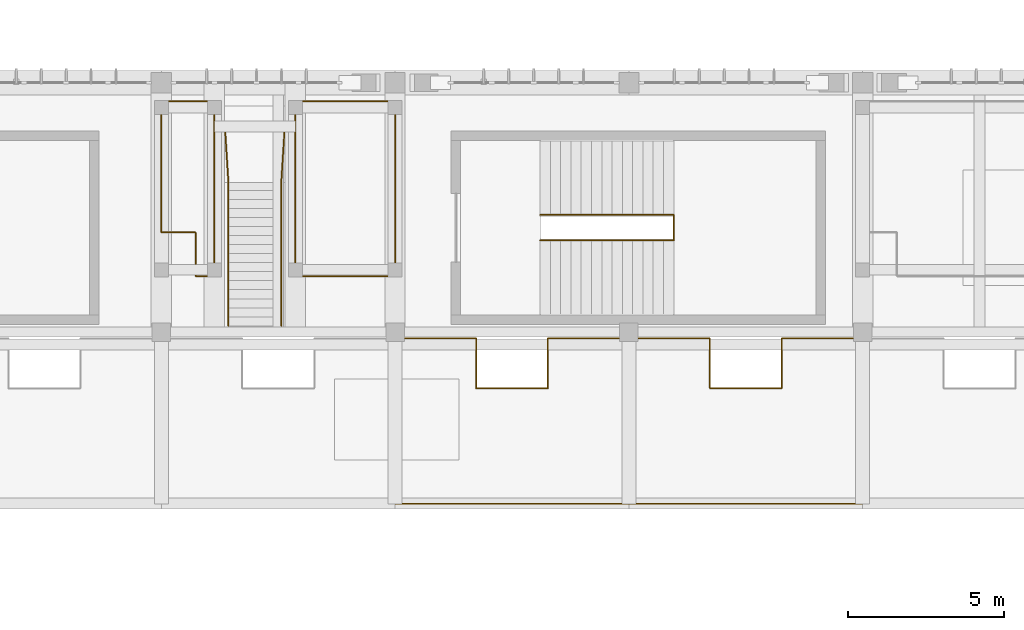
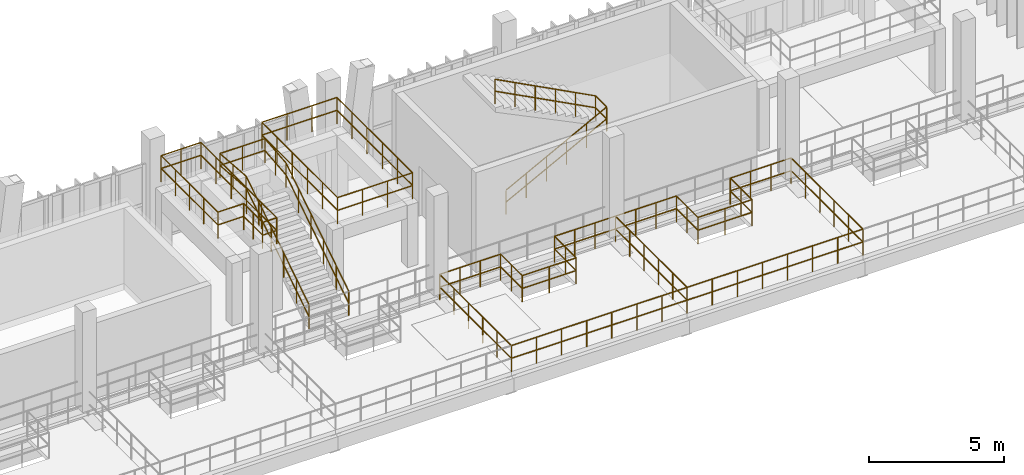
# One storey, part 71 of 81: 6 railings.
"""IFC4 building model written with IfcOpenShell, lengths in metres."""

from ifc_helpers import new_model, si_unit, direction, frame, origin, origin_2d, place, context, subcontext, project, spatial, circle, extrude, material, type_object, element, save


model = new_model("IFC4")

# Units and contexts
model_context = context("Model", 3, precision=1e-05, world=origin(), true_north=direction((0.0, 1.0)))
body_context = subcontext(model_context, "Body", "Model", "MODEL_VIEW")
ifc_project = project(units=[si_unit("LENGTHUNIT", "METRE"), si_unit("AREAUNIT", "SQUARE_METRE"), si_unit("VOLUMEUNIT", "CUBIC_METRE"), si_unit("PLANEANGLEUNIT", "RADIAN"), si_unit("MASSUNIT", "GRAM", prefix="KILO")], contexts=[model_context])

# Site, building, storey
site_placement = place(None, origin())
site = spatial("IfcSite", under=ifc_project, at=site_placement, CompositionType="ELEMENT")
building_placement = place(site_placement, origin())
building = spatial("IfcBuilding", under=site, at=building_placement, Name="Vourika Railside Aquatics Centre", CompositionType="ELEMENT")
storey_placement = place(building_placement, frame((0.0, 0.0, 4.800048828125)))
storey = spatial("IfcBuildingStorey", under=building, at=storey_placement, Name="L01", CompositionType="ELEMENT", Elevation=4.800048828125)

# Railings
ifc_material = material(Name="Duplex stainless steel EN 1.4462", Category="steel")
railing_type_1 = type_object("IfcRailingType", Name="RL-BAL-STD120", PredefinedType="BALUSTRADE", material=ifc_material)
railing_1_placement = place(storey_placement, frame((111.0, 59.800048828125, 3.02001953125)))
element("IfcRailing", 1, at=railing_1_placement, inside=storey, type_object=railing_type_1, Name="Spectator Stand Crowd Barrier (Stand Upper Tier Bay 10-1)", PredefinedType="BALUSTRADE", context=body_context, shape_type="SweptSolid", body=[
    extrude(circle(Radius=0.02392578125, at=origin_2d()), frame((0.0, 0.0, 1.17578125), z_axis=(-1.0, 0.0, 0.0), x_axis=(0.0, -1.0, 0.0)), (0.0, 0.0, 1.0), 3.199951171875),
    extrude(circle(Radius=0.02392578125, at=origin_2d()), frame((0.0, 0.0, 0.60009765625), z_axis=(-1.0, 0.0, 0.0), x_axis=(0.0, -1.0, 0.0)), (0.0, 0.0, 1.0), 3.199951171875),
    extrude(circle(Radius=0.02392578125, at=origin_2d()), frame((-3.199951171875, 0.0, 1.17578125), z_axis=(0.0, 1.0, 0.0), x_axis=(-1.0, 0.0, 0.0)), (0.0, 0.0, 1.0), 5.599853515625),
    extrude(circle(Radius=0.02392578125, at=origin_2d()), frame((-3.199951171875, 0.0, 0.60009765625), z_axis=(0.0, 1.0, 0.0), x_axis=(-1.0, 0.0, 0.0)), (0.0, 0.0, 1.0), 5.599853515625),
    extrude(circle(Radius=0.02392578125, at=origin_2d()), frame((-3.199951171875, 5.599853515625, 1.17578125), z_axis=(1.0, 0.0, 0.0), x_axis=(0.0, 1.0, 0.0)), (0.0, 0.0, 1.0), 3.199951171875),
    extrude(circle(Radius=0.02392578125, at=origin_2d()), frame((-3.199951171875, 5.599853515625, 0.60009765625), z_axis=(1.0, 0.0, 0.0), x_axis=(0.0, 1.0, 0.0)), (0.0, 0.0, 1.0), 3.199951171875),
    extrude(circle(Radius=0.02392578125, at=origin_2d()), frame((0.0, 5.599853515625, 1.17578125), z_axis=(0.0, -1.0, 0.0), x_axis=(1.0, 0.0, 0.0)), (0.0, 0.0, 1.0), 5.599853515625),
    extrude(circle(Radius=0.02392578125, at=origin_2d()), frame((0.0, 5.599853515625, 0.60009765625), z_axis=(0.0, -1.0, 0.0), x_axis=(1.0, 0.0, 0.0)), (0.0, 0.0, 1.0), 5.599853515625),
    extrude(circle(Radius=0.02099609375, at=origin_2d()), origin(), (0.0, 0.0, 1.0), 1.15185546875),
    extrude(circle(Radius=0.02099609375, at=origin_2d()), frame((-1.066650390625, 0.0, 0.0)), (0.0, 0.0, 1.0), 1.15185546875),
    extrude(circle(Radius=0.02099609375, at=origin_2d()), frame((-2.13330078125, 0.0, 0.0)), (0.0, 0.0, 1.0), 1.15185546875),
    extrude(circle(Radius=0.02099609375, at=origin_2d()), frame((-3.199951171875, 0.0, 0.0)), (0.0, 0.0, 1.0), 1.15185546875),
    extrude(circle(Radius=0.02099609375, at=origin_2d()), frame((-3.199951171875, 1.119873046875, 0.0)), (0.0, 0.0, 1.0), 1.15185546875),
    extrude(circle(Radius=0.02099609375, at=origin_2d()), frame((-3.199951171875, 2.239990234375, 0.0)), (0.0, 0.0, 1.0), 1.15185546875),
    extrude(circle(Radius=0.02099609375, at=origin_2d()), frame((-3.199951171875, 3.35986328125, 0.0)), (0.0, 0.0, 1.0), 1.15185546875),
    extrude(circle(Radius=0.02099609375, at=origin_2d()), frame((-3.199951171875, 4.47998046875, 0.0)), (0.0, 0.0, 1.0), 1.15185546875),
    extrude(circle(Radius=0.02099609375, at=origin_2d()), frame((-3.199951171875, 5.599853515625, 0.0)), (0.0, 0.0, 1.0), 1.15185546875),
    extrude(circle(Radius=0.02099609375, at=origin_2d()), frame((-2.13330078125, 5.599853515625, 0.0)), (0.0, 0.0, 1.0), 1.15185546875),
    extrude(circle(Radius=0.02099609375, at=origin_2d()), frame((-1.066650390625, 5.599853515625, 0.0)), (0.0, 0.0, 1.0), 1.15185546875),
    extrude(circle(Radius=0.02099609375, at=origin_2d()), frame((0.0, 5.599853515625, 0.0)), (0.0, 0.0, 1.0), 1.15185546875),
    extrude(circle(Radius=0.02099609375, at=origin_2d()), frame((0.0, 4.47998046875, 0.0)), (0.0, 0.0, 1.0), 1.15185546875),
    extrude(circle(Radius=0.02099609375, at=origin_2d()), frame((0.0, 3.35986328125, 0.0)), (0.0, 0.0, 1.0), 1.15185546875),
    extrude(circle(Radius=0.02099609375, at=origin_2d()), frame((0.0, 2.239990234375, 0.0)), (0.0, 0.0, 1.0), 1.15185546875),
    extrude(circle(Radius=0.02099609375, at=origin_2d()), frame((0.0, 1.119873046875, 0.0)), (0.0, 0.0, 1.0), 1.15185546875),
])
railing_2_placement = place(storey_placement, frame((104.60009765625, 59.800048828125, 3.02001953125)))
element("IfcRailing", 2, at=railing_2_placement, inside=storey, type_object=railing_type_1, Name="Spectator Stand Crowd Barrier (Stand Upper Tier Bay 10-2)", PredefinedType="BALUSTRADE", context=body_context, shape_type="SweptSolid", body=[
    extrude(circle(Radius=0.02392578125, at=origin_2d()), frame((0.0, 0.0, 1.17578125), z_axis=(0.0, 1.0, 0.0), x_axis=(-1.0, 0.0, 0.0)), (0.0, 0.0, 1.0), 1.39990234375),
    extrude(circle(Radius=0.02392578125, at=origin_2d()), frame((0.0, 0.0, 0.60009765625), z_axis=(0.0, 1.0, 0.0), x_axis=(-1.0, 0.0, 0.0)), (0.0, 0.0, 1.0), 1.39990234375),
    extrude(circle(Radius=0.02392578125, at=origin_2d()), frame((0.0, 1.39990234375, 1.17578125), z_axis=(-1.0, 0.0, 0.0), x_axis=(0.0, -1.0, 0.0)), (0.0, 0.0, 1.0), 1.10009765625),
    extrude(circle(Radius=0.02392578125, at=origin_2d()), frame((0.0, 1.39990234375, 0.60009765625), z_axis=(-1.0, 0.0, 0.0), x_axis=(0.0, -1.0, 0.0)), (0.0, 0.0, 1.0), 1.10009765625),
    extrude(circle(Radius=0.02392578125, at=origin_2d()), frame((-1.10009765625, 1.39990234375, 1.17578125), z_axis=(0.0, 1.0, 0.0), x_axis=(-1.0, 0.0, 0.0)), (0.0, 0.0, 1.0), 4.199951171875),
    extrude(circle(Radius=0.02392578125, at=origin_2d()), frame((-1.10009765625, 1.39990234375, 0.60009765625), z_axis=(0.0, 1.0, 0.0), x_axis=(-1.0, 0.0, 0.0)), (0.0, 0.0, 1.0), 4.199951171875),
    extrude(circle(Radius=0.02392578125, at=origin_2d()), frame((-1.10009765625, 5.599853515625, 1.17578125), z_axis=(1.0, 0.0, 0.0), x_axis=(0.0, 1.0, 0.0)), (0.0, 0.0, 1.0), 1.699951171875),
    extrude(circle(Radius=0.02392578125, at=origin_2d()), frame((-1.10009765625, 5.599853515625, 0.60009765625), z_axis=(1.0, 0.0, 0.0), x_axis=(0.0, 1.0, 0.0)), (0.0, 0.0, 1.0), 1.699951171875),
    extrude(circle(Radius=0.02392578125, at=origin_2d()), frame((0.599853515625, 5.599853515625, 1.17578125), z_axis=(0.0, -1.0, 0.0), x_axis=(1.0, 0.0, 0.0)), (0.0, 0.0, 1.0), 5.599853515625),
    extrude(circle(Radius=0.02392578125, at=origin_2d()), frame((0.599853515625, 5.599853515625, 0.60009765625), z_axis=(0.0, -1.0, 0.0), x_axis=(1.0, 0.0, 0.0)), (0.0, 0.0, 1.0), 5.599853515625),
    extrude(circle(Radius=0.02392578125, at=origin_2d()), frame((0.599853515625, 0.0, 1.17578125), z_axis=(-1.0, 0.0, 0.0), x_axis=(0.0, -1.0, 0.0)), (0.0, 0.0, 1.0), 0.599853515625),
    extrude(circle(Radius=0.02392578125, at=origin_2d()), frame((0.599853515625, 0.0, 0.60009765625), z_axis=(-1.0, 0.0, 0.0), x_axis=(0.0, -1.0, 0.0)), (0.0, 0.0, 1.0), 0.599853515625),
    extrude(circle(Radius=0.02099609375, at=origin_2d()), origin(), (0.0, 0.0, 1.0), 1.15185546875),
    extrude(circle(Radius=0.02099609375, at=origin_2d()), frame((0.0, 0.699951171875, 0.0)), (0.0, 0.0, 1.0), 1.15185546875),
    extrude(circle(Radius=0.02099609375, at=origin_2d()), frame((0.0, 1.39990234375, 0.0)), (0.0, 0.0, 1.0), 1.15185546875),
    extrude(circle(Radius=0.02099609375, at=origin_2d()), frame((-1.10009765625, 1.39990234375, 0.0)), (0.0, 0.0, 1.0), 1.15185546875),
    extrude(circle(Radius=0.02099609375, at=origin_2d()), frame((-1.10009765625, 2.449951171875, 0.0)), (0.0, 0.0, 1.0), 1.15185546875),
    extrude(circle(Radius=0.02099609375, at=origin_2d()), frame((-1.10009765625, 3.5, 0.0)), (0.0, 0.0, 1.0), 1.15185546875),
    extrude(circle(Radius=0.02099609375, at=origin_2d()), frame((-1.10009765625, 4.5498046875, 0.0)), (0.0, 0.0, 1.0), 1.15185546875),
    extrude(circle(Radius=0.02099609375, at=origin_2d()), frame((-1.10009765625, 5.599853515625, 0.0)), (0.0, 0.0, 1.0), 1.15185546875),
    extrude(circle(Radius=0.02099609375, at=origin_2d()), frame((-0.25, 5.599853515625, 0.0)), (0.0, 0.0, 1.0), 1.15185546875),
    extrude(circle(Radius=0.02099609375, at=origin_2d()), frame((0.599853515625, 5.599853515625, 0.0)), (0.0, 0.0, 1.0), 1.15185546875),
    extrude(circle(Radius=0.02099609375, at=origin_2d()), frame((0.599853515625, 4.47998046875, 0.0)), (0.0, 0.0, 1.0), 1.15185546875),
    extrude(circle(Radius=0.02099609375, at=origin_2d()), frame((0.599853515625, 3.35986328125, 0.0)), (0.0, 0.0, 1.0), 1.15185546875),
    extrude(circle(Radius=0.02099609375, at=origin_2d()), frame((0.599853515625, 2.239990234375, 0.0)), (0.0, 0.0, 1.0), 1.15185546875),
    extrude(circle(Radius=0.02099609375, at=origin_2d()), frame((0.599853515625, 1.119873046875, 0.0)), (0.0, 0.0, 1.0), 1.15185546875),
    extrude(circle(Radius=0.02099609375, at=origin_2d()), frame((0.599853515625, 0.0, 0.0)), (0.0, 0.0, 1.0), 1.15185546875),
])
railing_3_placement = place(storey_placement, frame((118.5, 57.800048828125, -0.35009765625)))
element("IfcRailing", 3, at=railing_3_placement, inside=storey, type_object=railing_type_1, Name="Spectator Stand Crowd Barrier (Stand Lower Tier Bay 11)", PredefinedType="BALUSTRADE", context=body_context, shape_type="SweptSolid", body=[
    extrude(circle(Radius=0.02392578125, at=origin_2d()), frame((0.0, 0.0, 1.17578125), z_axis=(0.0, -1.0, 0.0), x_axis=(1.0, 0.0, 0.0)), (0.0, 0.0, 1.0), 5.300048828125),
    extrude(circle(Radius=0.02392578125, at=origin_2d()), frame((0.0, 0.0, 0.60009765625), z_axis=(0.0, -1.0, 0.0), x_axis=(1.0, 0.0, 0.0)), (0.0, 0.0, 1.0), 5.300048828125),
    extrude(circle(Radius=0.02392578125, at=origin_2d()), frame((0.0, -5.300048828125, 1.17578125), z_axis=(-1.0, 0.0, 0.0), x_axis=(0.0, -1.0, 0.0)), (0.0, 0.0, 1.0), 7.5),
    extrude(circle(Radius=0.02392578125, at=origin_2d()), frame((0.0, -5.300048828125, 0.60009765625), z_axis=(-1.0, 0.0, 0.0), x_axis=(0.0, -1.0, 0.0)), (0.0, 0.0, 1.0), 7.5),
    extrude(circle(Radius=0.02392578125, at=origin_2d()), frame((-7.5, -5.300048828125, 1.17578125), z_axis=(0.0, 1.0, 0.0), x_axis=(-1.0, 0.0, 0.0)), (0.0, 0.0, 1.0), 5.300048828125),
    extrude(circle(Radius=0.02392578125, at=origin_2d()), frame((-7.5, -5.300048828125, 0.60009765625), z_axis=(0.0, 1.0, 0.0), x_axis=(-1.0, 0.0, 0.0)), (0.0, 0.0, 1.0), 5.300048828125),
    extrude(circle(Radius=0.02392578125, at=origin_2d()), frame((-7.5, 0.0, 1.17578125), z_axis=(1.0, 0.0, 0.0), x_axis=(0.0, 1.0, 0.0)), (0.0, 0.0, 1.0), 2.60009765625),
    extrude(circle(Radius=0.02392578125, at=origin_2d()), frame((-7.5, 0.0, 0.60009765625), z_axis=(1.0, 0.0, 0.0), x_axis=(0.0, 1.0, 0.0)), (0.0, 0.0, 1.0), 2.60009765625),
    extrude(circle(Radius=0.02392578125, at=origin_2d()), frame((-4.89990234375, 0.0, 1.17578125), z_axis=(0.0, -1.0, 0.0), x_axis=(1.0, 0.0, 0.0)), (0.0, 0.0, 1.0), 1.60009765625),
    extrude(circle(Radius=0.02392578125, at=origin_2d()), frame((-4.89990234375, 0.0, 0.60009765625), z_axis=(0.0, -1.0, 0.0), x_axis=(1.0, 0.0, 0.0)), (0.0, 0.0, 1.0), 1.60009765625),
    extrude(circle(Radius=0.02392578125, at=origin_2d()), frame((-4.89990234375, -1.60009765625, 1.17578125), z_axis=(1.0, 0.0, 0.0), x_axis=(0.0, 1.0, 0.0)), (0.0, 0.0, 1.0), 2.2998046875),
    extrude(circle(Radius=0.02392578125, at=origin_2d()), frame((-4.89990234375, -1.60009765625, 0.60009765625), z_axis=(1.0, 0.0, 0.0), x_axis=(0.0, 1.0, 0.0)), (0.0, 0.0, 1.0), 2.2998046875),
    extrude(circle(Radius=0.02392578125, at=origin_2d()), frame((-2.60009765625, -1.60009765625, 1.17578125), z_axis=(0.0, 1.0, 0.0), x_axis=(-1.0, 0.0, 0.0)), (0.0, 0.0, 1.0), 1.60009765625),
    extrude(circle(Radius=0.02392578125, at=origin_2d()), frame((-2.60009765625, -1.60009765625, 0.60009765625), z_axis=(0.0, 1.0, 0.0), x_axis=(-1.0, 0.0, 0.0)), (0.0, 0.0, 1.0), 1.60009765625),
    extrude(circle(Radius=0.02392578125, at=origin_2d()), frame((-2.60009765625, 0.0, 1.17578125), z_axis=(1.0, 0.0, 0.0), x_axis=(0.0, 1.0, 0.0)), (0.0, 0.0, 1.0), 2.60009765625),
    extrude(circle(Radius=0.02392578125, at=origin_2d()), frame((-2.60009765625, 0.0, 0.60009765625), z_axis=(1.0, 0.0, 0.0), x_axis=(0.0, 1.0, 0.0)), (0.0, 0.0, 1.0), 2.60009765625),
    extrude(circle(Radius=0.02099609375, at=origin_2d()), origin(), (0.0, 0.0, 1.0), 1.15185546875),
    extrude(circle(Radius=0.02099609375, at=origin_2d()), frame((0.0, -1.06005859375, 0.0)), (0.0, 0.0, 1.0), 1.15185546875),
    extrude(circle(Radius=0.02099609375, at=origin_2d()), frame((0.0, -2.1201171875, 0.0)), (0.0, 0.0, 1.0), 1.15185546875),
    extrude(circle(Radius=0.02099609375, at=origin_2d()), frame((0.0, -3.179931640625, 0.0)), (0.0, 0.0, 1.0), 1.15185546875),
    extrude(circle(Radius=0.02099609375, at=origin_2d()), frame((0.0, -4.239990234375, 0.0)), (0.0, 0.0, 1.0), 1.15185546875),
    extrude(circle(Radius=0.02099609375, at=origin_2d()), frame((0.0, -5.300048828125, 0.0)), (0.0, 0.0, 1.0), 1.15185546875),
    extrude(circle(Radius=0.02099609375, at=origin_2d()), frame((-1.071533203125, -5.300048828125, 0.0)), (0.0, 0.0, 1.0), 1.15185546875),
    extrude(circle(Radius=0.02099609375, at=origin_2d()), frame((-2.142822265625, -5.300048828125, 0.0)), (0.0, 0.0, 1.0), 1.15185546875),
    extrude(circle(Radius=0.02099609375, at=origin_2d()), frame((-3.21435546875, -5.300048828125, 0.0)), (0.0, 0.0, 1.0), 1.15185546875),
    extrude(circle(Radius=0.02099609375, at=origin_2d()), frame((-4.28564453125, -5.300048828125, 0.0)), (0.0, 0.0, 1.0), 1.15185546875),
    extrude(circle(Radius=0.02099609375, at=origin_2d()), frame((-5.357177734375, -5.300048828125, 0.0)), (0.0, 0.0, 1.0), 1.15185546875),
    extrude(circle(Radius=0.02099609375, at=origin_2d()), frame((-6.428466796875, -5.300048828125, 0.0)), (0.0, 0.0, 1.0), 1.15185546875),
    extrude(circle(Radius=0.02099609375, at=origin_2d()), frame((-7.5, -5.300048828125, 0.0)), (0.0, 0.0, 1.0), 1.15185546875),
    extrude(circle(Radius=0.02099609375, at=origin_2d()), frame((-7.5, -4.239990234375, 0.0)), (0.0, 0.0, 1.0), 1.15185546875),
    extrude(circle(Radius=0.02099609375, at=origin_2d()), frame((-7.5, -3.179931640625, 0.0)), (0.0, 0.0, 1.0), 1.15185546875),
    extrude(circle(Radius=0.02099609375, at=origin_2d()), frame((-7.5, -2.1201171875, 0.0)), (0.0, 0.0, 1.0), 1.15185546875),
    extrude(circle(Radius=0.02099609375, at=origin_2d()), frame((-7.5, -1.06005859375, 0.0)), (0.0, 0.0, 1.0), 1.15185546875),
    extrude(circle(Radius=0.02099609375, at=origin_2d()), frame((-7.5, 0.0, 0.0)), (0.0, 0.0, 1.0), 1.15185546875),
    extrude(circle(Radius=0.02099609375, at=origin_2d()), frame((-6.63330078125, 0.0, 0.0)), (0.0, 0.0, 1.0), 1.15185546875),
    extrude(circle(Radius=0.02099609375, at=origin_2d()), frame((-5.7666015625, 0.0, 0.0)), (0.0, 0.0, 1.0), 1.15185546875),
    extrude(circle(Radius=0.02099609375, at=origin_2d()), frame((-4.89990234375, 0.0, 0.0)), (0.0, 0.0, 1.0), 1.15185546875),
    extrude(circle(Radius=0.02099609375, at=origin_2d()), frame((-4.89990234375, -0.800048828125, 0.0)), (0.0, 0.0, 1.0), 1.15185546875),
    extrude(circle(Radius=0.02099609375, at=origin_2d()), frame((-4.89990234375, -1.60009765625, 0.0)), (0.0, 0.0, 1.0), 1.15185546875),
    extrude(circle(Radius=0.02099609375, at=origin_2d()), frame((-3.75, -1.60009765625, 0.0)), (0.0, 0.0, 1.0), 1.15185546875),
    extrude(circle(Radius=0.02099609375, at=origin_2d()), frame((-2.60009765625, -1.60009765625, 0.0)), (0.0, 0.0, 1.0), 1.15185546875),
    extrude(circle(Radius=0.02099609375, at=origin_2d()), frame((-2.60009765625, -0.800048828125, 0.0)), (0.0, 0.0, 1.0), 1.15185546875),
    extrude(circle(Radius=0.02099609375, at=origin_2d()), frame((-2.60009765625, 0.0, 0.0)), (0.0, 0.0, 1.0), 1.15185546875),
    extrude(circle(Radius=0.02099609375, at=origin_2d()), frame((-1.7333984375, 0.0, 0.0)), (0.0, 0.0, 1.0), 1.15185546875),
    extrude(circle(Radius=0.02099609375, at=origin_2d()), frame((-0.86669921875, 0.0, 0.0)), (0.0, 0.0, 1.0), 1.15185546875),
])
railing_4_placement = place(storey_placement, frame((126.0, 57.800048828125, -0.35009765625)))
element("IfcRailing", 4, at=railing_4_placement, inside=storey, type_object=railing_type_1, Name="Spectator Stand Crowd Barrier (Stand Lower Tier Bay 12)", PredefinedType="BALUSTRADE", context=body_context, shape_type="SweptSolid", body=[
    extrude(circle(Radius=0.02392578125, at=origin_2d()), frame((0.0, 0.0, 1.17578125), z_axis=(0.0, -1.0, 0.0), x_axis=(1.0, 0.0, 0.0)), (0.0, 0.0, 1.0), 5.300048828125),
    extrude(circle(Radius=0.02392578125, at=origin_2d()), frame((0.0, 0.0, 0.60009765625), z_axis=(0.0, -1.0, 0.0), x_axis=(1.0, 0.0, 0.0)), (0.0, 0.0, 1.0), 5.300048828125),
    extrude(circle(Radius=0.02392578125, at=origin_2d()), frame((0.0, -5.300048828125, 1.17578125), z_axis=(-1.0, 0.0, 0.0), x_axis=(0.0, -1.0, 0.0)), (0.0, 0.0, 1.0), 7.5),
    extrude(circle(Radius=0.02392578125, at=origin_2d()), frame((0.0, -5.300048828125, 0.60009765625), z_axis=(-1.0, 0.0, 0.0), x_axis=(0.0, -1.0, 0.0)), (0.0, 0.0, 1.0), 7.5),
    extrude(circle(Radius=0.02392578125, at=origin_2d()), frame((-7.5, -5.300048828125, 1.17578125), z_axis=(0.0, 1.0, 0.0), x_axis=(-1.0, 0.0, 0.0)), (0.0, 0.0, 1.0), 5.300048828125),
    extrude(circle(Radius=0.02392578125, at=origin_2d()), frame((-7.5, -5.300048828125, 0.60009765625), z_axis=(0.0, 1.0, 0.0), x_axis=(-1.0, 0.0, 0.0)), (0.0, 0.0, 1.0), 5.300048828125),
    extrude(circle(Radius=0.02392578125, at=origin_2d()), frame((-7.5, 0.0, 1.17578125), z_axis=(1.0, 0.0, 0.0), x_axis=(0.0, 1.0, 0.0)), (0.0, 0.0, 1.0), 2.60009765625),
    extrude(circle(Radius=0.02392578125, at=origin_2d()), frame((-7.5, 0.0, 0.60009765625), z_axis=(1.0, 0.0, 0.0), x_axis=(0.0, 1.0, 0.0)), (0.0, 0.0, 1.0), 2.60009765625),
    extrude(circle(Radius=0.02392578125, at=origin_2d()), frame((-4.89990234375, 0.0, 1.17578125), z_axis=(0.0, -1.0, 0.0), x_axis=(1.0, 0.0, 0.0)), (0.0, 0.0, 1.0), 1.60009765625),
    extrude(circle(Radius=0.02392578125, at=origin_2d()), frame((-4.89990234375, 0.0, 0.60009765625), z_axis=(0.0, -1.0, 0.0), x_axis=(1.0, 0.0, 0.0)), (0.0, 0.0, 1.0), 1.60009765625),
    extrude(circle(Radius=0.02392578125, at=origin_2d()), frame((-4.89990234375, -1.60009765625, 1.17578125), z_axis=(1.0, 0.0, 0.0), x_axis=(0.0, 1.0, 0.0)), (0.0, 0.0, 1.0), 2.2998046875),
    extrude(circle(Radius=0.02392578125, at=origin_2d()), frame((-4.89990234375, -1.60009765625, 0.60009765625), z_axis=(1.0, 0.0, 0.0), x_axis=(0.0, 1.0, 0.0)), (0.0, 0.0, 1.0), 2.2998046875),
    extrude(circle(Radius=0.02392578125, at=origin_2d()), frame((-2.60009765625, -1.60009765625, 1.17578125), z_axis=(0.0, 1.0, 0.0), x_axis=(-1.0, 0.0, 0.0)), (0.0, 0.0, 1.0), 1.60009765625),
    extrude(circle(Radius=0.02392578125, at=origin_2d()), frame((-2.60009765625, -1.60009765625, 0.60009765625), z_axis=(0.0, 1.0, 0.0), x_axis=(-1.0, 0.0, 0.0)), (0.0, 0.0, 1.0), 1.60009765625),
    extrude(circle(Radius=0.02392578125, at=origin_2d()), frame((-2.60009765625, 0.0, 1.17578125), z_axis=(1.0, 0.0, 0.0), x_axis=(0.0, 1.0, 0.0)), (0.0, 0.0, 1.0), 2.60009765625),
    extrude(circle(Radius=0.02392578125, at=origin_2d()), frame((-2.60009765625, 0.0, 0.60009765625), z_axis=(1.0, 0.0, 0.0), x_axis=(0.0, 1.0, 0.0)), (0.0, 0.0, 1.0), 2.60009765625),
    extrude(circle(Radius=0.02099609375, at=origin_2d()), origin(), (0.0, 0.0, 1.0), 1.15185546875),
    extrude(circle(Radius=0.02099609375, at=origin_2d()), frame((0.0, -1.06005859375, 0.0)), (0.0, 0.0, 1.0), 1.15185546875),
    extrude(circle(Radius=0.02099609375, at=origin_2d()), frame((0.0, -2.1201171875, 0.0)), (0.0, 0.0, 1.0), 1.15185546875),
    extrude(circle(Radius=0.02099609375, at=origin_2d()), frame((0.0, -3.179931640625, 0.0)), (0.0, 0.0, 1.0), 1.15185546875),
    extrude(circle(Radius=0.02099609375, at=origin_2d()), frame((0.0, -4.239990234375, 0.0)), (0.0, 0.0, 1.0), 1.15185546875),
    extrude(circle(Radius=0.02099609375, at=origin_2d()), frame((0.0, -5.300048828125, 0.0)), (0.0, 0.0, 1.0), 1.15185546875),
    extrude(circle(Radius=0.02099609375, at=origin_2d()), frame((-1.071533203125, -5.300048828125, 0.0)), (0.0, 0.0, 1.0), 1.15185546875),
    extrude(circle(Radius=0.02099609375, at=origin_2d()), frame((-2.142822265625, -5.300048828125, 0.0)), (0.0, 0.0, 1.0), 1.15185546875),
    extrude(circle(Radius=0.02099609375, at=origin_2d()), frame((-3.21435546875, -5.300048828125, 0.0)), (0.0, 0.0, 1.0), 1.15185546875),
    extrude(circle(Radius=0.02099609375, at=origin_2d()), frame((-4.28564453125, -5.300048828125, 0.0)), (0.0, 0.0, 1.0), 1.15185546875),
    extrude(circle(Radius=0.02099609375, at=origin_2d()), frame((-5.357177734375, -5.300048828125, 0.0)), (0.0, 0.0, 1.0), 1.15185546875),
    extrude(circle(Radius=0.02099609375, at=origin_2d()), frame((-6.428466796875, -5.300048828125, 0.0)), (0.0, 0.0, 1.0), 1.15185546875),
    extrude(circle(Radius=0.02099609375, at=origin_2d()), frame((-7.5, -5.300048828125, 0.0)), (0.0, 0.0, 1.0), 1.15185546875),
    extrude(circle(Radius=0.02099609375, at=origin_2d()), frame((-7.5, -4.239990234375, 0.0)), (0.0, 0.0, 1.0), 1.15185546875),
    extrude(circle(Radius=0.02099609375, at=origin_2d()), frame((-7.5, -3.179931640625, 0.0)), (0.0, 0.0, 1.0), 1.15185546875),
    extrude(circle(Radius=0.02099609375, at=origin_2d()), frame((-7.5, -2.1201171875, 0.0)), (0.0, 0.0, 1.0), 1.15185546875),
    extrude(circle(Radius=0.02099609375, at=origin_2d()), frame((-7.5, -1.06005859375, 0.0)), (0.0, 0.0, 1.0), 1.15185546875),
    extrude(circle(Radius=0.02099609375, at=origin_2d()), frame((-7.5, 0.0, 0.0)), (0.0, 0.0, 1.0), 1.15185546875),
    extrude(circle(Radius=0.02099609375, at=origin_2d()), frame((-6.63330078125, 0.0, 0.0)), (0.0, 0.0, 1.0), 1.15185546875),
    extrude(circle(Radius=0.02099609375, at=origin_2d()), frame((-5.7666015625, 0.0, 0.0)), (0.0, 0.0, 1.0), 1.15185546875),
    extrude(circle(Radius=0.02099609375, at=origin_2d()), frame((-4.89990234375, 0.0, 0.0)), (0.0, 0.0, 1.0), 1.15185546875),
    extrude(circle(Radius=0.02099609375, at=origin_2d()), frame((-4.89990234375, -0.800048828125, 0.0)), (0.0, 0.0, 1.0), 1.15185546875),
    extrude(circle(Radius=0.02099609375, at=origin_2d()), frame((-4.89990234375, -1.60009765625, 0.0)), (0.0, 0.0, 1.0), 1.15185546875),
    extrude(circle(Radius=0.02099609375, at=origin_2d()), frame((-3.75, -1.60009765625, 0.0)), (0.0, 0.0, 1.0), 1.15185546875),
    extrude(circle(Radius=0.02099609375, at=origin_2d()), frame((-2.60009765625, -1.60009765625, 0.0)), (0.0, 0.0, 1.0), 1.15185546875),
    extrude(circle(Radius=0.02099609375, at=origin_2d()), frame((-2.60009765625, -0.800048828125, 0.0)), (0.0, 0.0, 1.0), 1.15185546875),
    extrude(circle(Radius=0.02099609375, at=origin_2d()), frame((-2.60009765625, 0.0, 0.0)), (0.0, 0.0, 1.0), 1.15185546875),
    extrude(circle(Radius=0.02099609375, at=origin_2d()), frame((-1.7333984375, 0.0, 0.0)), (0.0, 0.0, 1.0), 1.15185546875),
    extrude(circle(Radius=0.02099609375, at=origin_2d()), frame((-0.86669921875, 0.0, 0.0)), (0.0, 0.0, 1.0), 1.15185546875),
])
railing_type_2 = type_object("IfcRailingType", Name="RL-STAIR-1120", PredefinedType="BALUSTRADE", material=ifc_material)
railing_5_placement = place(storey_placement, frame((115.64990234375, 60.93994140625, 0.0)))
element("IfcRailing", 5, at=railing_5_placement, inside=storey, type_object=railing_type_2, Name="Grandstand Vomitory Exit Stair ST10 Center Well Guard (L01)", PredefinedType="BALUSTRADE", context=body_context, shape_type="SweptSolid", body=[
    extrude(circle(Radius=0.02392578125, at=origin_2d()), frame((0.0, 0.0, 1.09619140625), z_axis=(0.885590726096, 0.0, 0.464466431351), x_axis=(0.0, 1.0, 0.0)), (0.0, 0.0, 1.0), 4.84423828125),
    extrude(circle(Radius=0.02392578125, at=origin_2d()), frame((0.0, 0.0, 0.56005859375), z_axis=(0.885590726096, 0.0, 0.464466431351), x_axis=(0.0, 1.0, 0.0)), (0.0, 0.0, 1.0), 4.84423828125),
    extrude(circle(Radius=0.02392578125, at=origin_2d()), frame((4.2900390625, 0.0, 3.34619140625), z_axis=(0.0, 1.0, 0.0), x_axis=(-1.0, 0.0, 0.0)), (0.0, 0.0, 1.0), 0.820068359375),
    extrude(circle(Radius=0.02392578125, at=origin_2d()), frame((4.2900390625, 0.0, 2.81005859375), z_axis=(0.0, 1.0, 0.0), x_axis=(-1.0, 0.0, 0.0)), (0.0, 0.0, 1.0), 0.820068359375),
    extrude(circle(Radius=0.02392578125, at=origin_2d()), frame((4.2900390625, 0.820068359375, 3.34619140625), z_axis=(-0.885590726096, 0.0, 0.464466431351), x_axis=(0.0, -1.0, 0.0)), (0.0, 0.0, 1.0), 4.84423828125),
    extrude(circle(Radius=0.02392578125, at=origin_2d()), frame((4.2900390625, 0.820068359375, 2.81005859375), z_axis=(-0.885590726096, 0.0, 0.464466431351), x_axis=(0.0, -1.0, 0.0)), (0.0, 0.0, 1.0), 4.84423828125),
    extrude(circle(Radius=0.02099609375, at=origin_2d()), origin(), (0.0, 0.0, 1.0), 1.072021484375),
    extrude(circle(Radius=0.02099609375, at=origin_2d()), frame((0.85791015625, 0.0, 0.449951171875)), (0.0, 0.0, 1.0), 1.072021484375),
    extrude(circle(Radius=0.02099609375, at=origin_2d()), frame((1.716064453125, 0.0, 0.89990234375)), (0.0, 0.0, 1.0), 1.072021484375),
    extrude(circle(Radius=0.02099609375, at=origin_2d()), frame((2.573974609375, 0.0, 1.35009765625)), (0.0, 0.0, 1.0), 1.072021484375),
    extrude(circle(Radius=0.02099609375, at=origin_2d()), frame((3.43212890625, 0.0, 1.800048828125)), (0.0, 0.0, 1.0), 1.072021484375),
    extrude(circle(Radius=0.02099609375, at=origin_2d()), frame((4.2900390625, 0.0, 2.25)), (0.0, 0.0, 1.0), 1.072021484375),
    extrude(circle(Radius=0.02099609375, at=origin_2d()), frame((4.2900390625, 0.820068359375, 2.25)), (0.0, 0.0, 1.0), 1.072021484375),
    extrude(circle(Radius=0.02099609375, at=origin_2d()), frame((3.43212890625, 0.820068359375, 2.699951171875)), (0.0, 0.0, 1.0), 1.072021484375),
    extrude(circle(Radius=0.02099609375, at=origin_2d()), frame((2.573974609375, 0.820068359375, 3.14990234375)), (0.0, 0.0, 1.0), 1.072021484375),
    extrude(circle(Radius=0.02099609375, at=origin_2d()), frame((1.716064453125, 0.820068359375, 3.60009765625)), (0.0, 0.0, 1.0), 1.072021484375),
    extrude(circle(Radius=0.02099609375, at=origin_2d()), frame((0.85791015625, 0.820068359375, 4.050048828125)), (0.0, 0.0, 1.0), 1.072021484375),
    extrude(circle(Radius=0.02099609375, at=origin_2d()), frame((0.0, 0.820068359375, 4.5)), (0.0, 0.0, 1.0), 1.072021484375),
])
railing_6_placement = place(storey_placement, frame((105.64990234375, 58.199951171875, 0.0)))
element("IfcRailing", 6, at=railing_6_placement, inside=storey, type_object=railing_type_2, Name="Vomitory VOM6 Gangway Guardrail", PredefinedType="BALUSTRADE", context=body_context, shape_type="SweptSolid", body=[
    extrude(circle(Radius=0.02392578125, at=origin_2d()), frame((0.0, 0.0, 1.09619140625), z_axis=(0.0, 0.84184559716, 0.539718436356), x_axis=(-1.0, 0.0, 0.0)), (0.0, 0.0, 1.0), 5.511962890625),
    extrude(circle(Radius=0.02392578125, at=origin_2d()), frame((0.0, 0.0, 0.56005859375), z_axis=(0.0, 0.84184559716, 0.539718436356), x_axis=(-1.0, 0.0, 0.0)), (0.0, 0.0, 1.0), 5.511962890625),
    extrude(circle(Radius=0.02392578125, at=origin_2d()), frame((0.0, 4.64013671875, 4.07080078125), z_axis=(-0.06265566985, 0.998035203305, 0.0), x_axis=(-0.998035203305, -0.06265566985, 0.0)), (0.0, 0.0, 1.0), 1.75341796875),
    extrude(circle(Radius=0.02392578125, at=origin_2d()), frame((0.0, 4.64013671875, 3.534912109375), z_axis=(-0.06265566985, 0.998035203305, 0.0), x_axis=(-0.998035203305, -0.06265566985, 0.0)), (0.0, 0.0, 1.0), 1.75341796875),
    extrude(circle(Radius=0.02392578125, at=origin_2d()), frame((-0.10986328125, 6.39013671875, 4.07080078125), z_axis=(1.0, 0.0, 0.0), x_axis=(0.0, 1.0, 0.0)), (0.0, 0.0, 1.0), 1.919921875),
    extrude(circle(Radius=0.02392578125, at=origin_2d()), frame((-0.10986328125, 6.39013671875, 3.534912109375), z_axis=(1.0, 0.0, 0.0), x_axis=(0.0, 1.0, 0.0)), (0.0, 0.0, 1.0), 1.919921875),
    extrude(circle(Radius=0.02392578125, at=origin_2d()), frame((1.81005859375, 6.39013671875, 4.07080078125), z_axis=(-0.06265566985, -0.998035203305, 0.0), x_axis=(0.998035203305, -0.06265566985, 0.0)), (0.0, 0.0, 1.0), 1.75341796875),
    extrude(circle(Radius=0.02392578125, at=origin_2d()), frame((1.81005859375, 6.39013671875, 3.534912109375), z_axis=(-0.06265566985, -0.998035203305, 0.0), x_axis=(0.998035203305, -0.06265566985, 0.0)), (0.0, 0.0, 1.0), 1.75341796875),
    extrude(circle(Radius=0.02392578125, at=origin_2d()), frame((1.7001953125, 4.64013671875, 4.07080078125), z_axis=(0.0, -0.84184559716, -0.539718436356), x_axis=(1.0, 0.0, 0.0)), (0.0, 0.0, 1.0), 5.511962890625),
    extrude(circle(Radius=0.02392578125, at=origin_2d()), frame((1.7001953125, 4.64013671875, 3.534912109375), z_axis=(0.0, -0.84184559716, -0.539718436356), x_axis=(1.0, 0.0, 0.0)), (0.0, 0.0, 1.0), 5.511962890625),
    extrude(circle(Radius=0.02099609375, at=origin_2d()), origin(), (0.0, 0.0, 1.0), 1.072021484375),
    extrude(circle(Radius=0.02099609375, at=origin_2d()), frame((0.0, 0.927978515625, 0.594970703125)), (0.0, 0.0, 1.0), 1.072021484375),
    extrude(circle(Radius=0.02099609375, at=origin_2d()), frame((0.0, 1.85595703125, 1.18994140625)), (0.0, 0.0, 1.0), 1.072021484375),
    extrude(circle(Radius=0.02099609375, at=origin_2d()), frame((0.0, 2.7841796875, 1.784912109375)), (0.0, 0.0, 1.0), 1.072021484375),
    extrude(circle(Radius=0.02099609375, at=origin_2d()), frame((0.0, 3.712158203125, 2.3798828125)), (0.0, 0.0, 1.0), 1.072021484375),
    extrude(circle(Radius=0.02099609375, at=origin_2d()), frame((0.0, 4.64013671875, 2.974853515625)), (0.0, 0.0, 1.0), 1.072021484375),
    extrude(circle(Radius=0.02099609375, at=origin_2d()), frame((-0.054931640625, 5.51513671875, 2.974853515625)), (0.0, 0.0, 1.0), 1.072021484375),
    extrude(circle(Radius=0.02099609375, at=origin_2d()), frame((-0.10986328125, 6.39013671875, 2.974853515625)), (0.0, 0.0, 1.0), 1.072021484375),
    extrude(circle(Radius=0.02099609375, at=origin_2d()), frame((0.85009765625, 6.39013671875, 2.974853515625)), (0.0, 0.0, 1.0), 1.072021484375),
    extrude(circle(Radius=0.02099609375, at=origin_2d()), frame((1.81005859375, 6.39013671875, 2.974853515625)), (0.0, 0.0, 1.0), 1.072021484375),
    extrude(circle(Radius=0.02099609375, at=origin_2d()), frame((1.755126953125, 5.51513671875, 2.974853515625)), (0.0, 0.0, 1.0), 1.072021484375),
    extrude(circle(Radius=0.02099609375, at=origin_2d()), frame((1.7001953125, 4.64013671875, 2.974853515625)), (0.0, 0.0, 1.0), 1.072021484375),
    extrude(circle(Radius=0.02099609375, at=origin_2d()), frame((1.7001953125, 3.712158203125, 2.3798828125)), (0.0, 0.0, 1.0), 1.072021484375),
    extrude(circle(Radius=0.02099609375, at=origin_2d()), frame((1.7001953125, 2.7841796875, 1.784912109375)), (0.0, 0.0, 1.0), 1.072021484375),
    extrude(circle(Radius=0.02099609375, at=origin_2d()), frame((1.7001953125, 1.85595703125, 1.18994140625)), (0.0, 0.0, 1.0), 1.072021484375),
    extrude(circle(Radius=0.02099609375, at=origin_2d()), frame((1.7001953125, 0.927978515625, 0.594970703125)), (0.0, 0.0, 1.0), 1.072021484375),
    extrude(circle(Radius=0.02099609375, at=origin_2d()), frame((1.7001953125, 0.0, 0.0)), (0.0, 0.0, 1.0), 1.072021484375),
])

save(model, "model.ifc")
